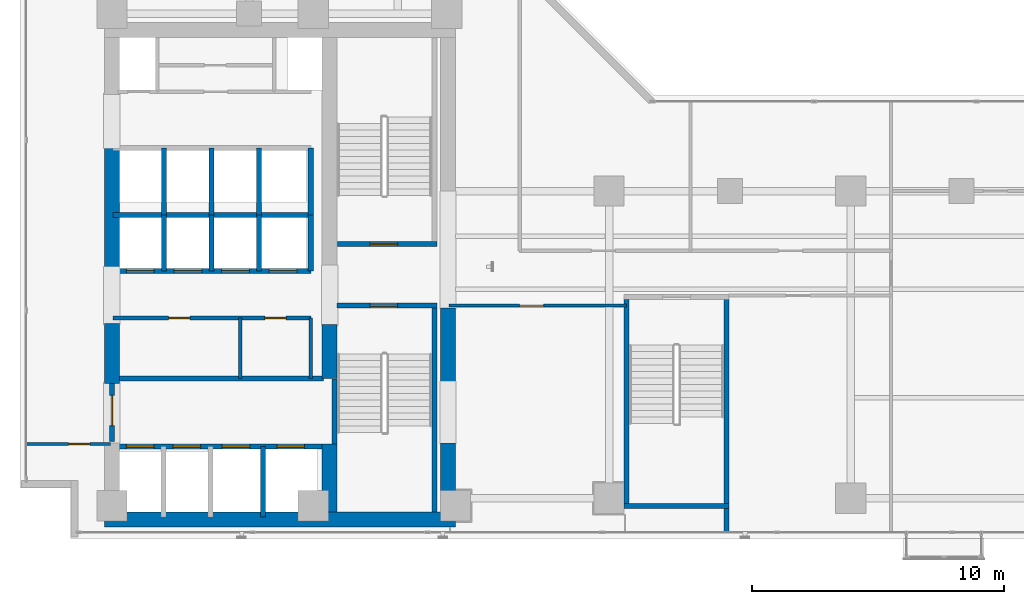
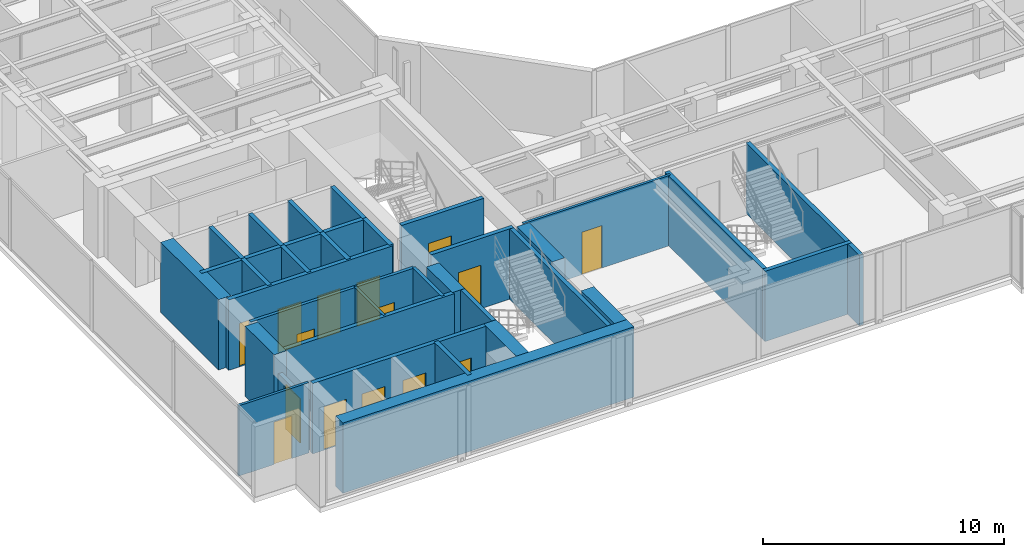
# One storey, part 19 of 26: 33 walls, 15 doors, 15 openings.
"""IFC4 building model written with IfcOpenShell, lengths in metres."""

from ifc_helpers import new_model, si_unit, direction, frame, frame_2d, origin, place, context, subcontext, project, spatial, rectangle, extrude, material, layer, layer_set, type_object, element, fill, save


model = new_model("IFC4")

# Units and contexts
model_context = context("Model", 3, precision=1e-05, world=origin(), true_north=direction((0.0, 1.0)))
body_context = subcontext(model_context, "Body", "Model", "MODEL_VIEW")
ifc_project = project(units=[si_unit("LENGTHUNIT", "METRE"), si_unit("AREAUNIT", "SQUARE_METRE"), si_unit("VOLUMEUNIT", "CUBIC_METRE"), si_unit("PLANEANGLEUNIT", "RADIAN"), si_unit("MASSUNIT", "GRAM", prefix="KILO")], contexts=[model_context])

# Site, building, storey
site_placement = place(None, origin())
site = spatial("IfcSite", under=ifc_project, at=site_placement, CompositionType="ELEMENT")
building_placement = place(site_placement, origin())
building = spatial("IfcBuilding", under=site, at=building_placement, Name="Kolvaren Waterfront Exchange", CompositionType="ELEMENT")
storey_placement = place(building_placement, frame((0.0, 0.0, 180.39990234375)))
storey = spatial("IfcBuildingStorey", under=building, at=storey_placement, Name="L46", CompositionType="ELEMENT", Elevation=180.39990234375)

# Wall, opening, door
ifc_material_1 = material(Name="Precast concrete C40/50", Category="concrete")
ifc_layer_1 = layer(ifc_material_1, 0.199951171875, Name="Precast concrete C40/50")
ifc_layer_set_1 = layer_set([ifc_layer_1], Name="Precast concrete C40/50")
wall_type_1 = type_object("IfcWallType", Name="ARC-FIRE-200", PredefinedType="PARTITIONING", material=ifc_layer_set_1)
wall_1_placement = place(storey_placement, frame((16.39990234375, 12.85009765625, 0.0), z_axis=(0.0, 0.0, 1.0), x_axis=(1.0, 0.0, 0.0)))
wall_1 = element("IfcWall", 1, at=wall_1_placement, inside=storey, type_object=wall_type_1, Name="L46 interior wall PW-L46-ST1-THROAT-S", PredefinedType="PARTITIONING", context=body_context, shape_type="SweptSolid", body=[
    extrude(rectangle(XDim=3.960205078125, YDim=0.199951171875, at=frame_2d((1.97998046875, 0.0))), origin(), (0.0, 0.0, 1.0), 3.56005859375),
])
opening_1_placement = place(wall_1_placement, frame((1.3037109375, 0.0, 0.0)))
opening_1 = element("IfcOpeningElement", 2, at=opening_1_placement, cuts=wall_1, Name="Opening FD2", PredefinedType="OPENING", context=body_context, shape_type="SweptSolid", body=[
    extrude(rectangle(XDim=1.10009765625, YDim=2.199951171875, at=frame_2d((0.550048828125, 1.10009765625))), frame((0.0, 0.10986328125, 0.0), z_axis=(0.0, -1.0, 0.0), x_axis=(1.0, 0.0, 0.0)), (0.0, 0.0, 1.0), 0.219970703125),
])
ifc_material_2 = material(Name="Pressed steel smoke-seal fire door", Category="steel")
door_type_1 = type_object("IfcDoorType", Name="ARC-FD-1100", OperationType="NOTDEFINED", PredefinedType="DOOR", material=ifc_material_2)
door_1_placement = place(opening_1_placement, frame((1.10009765625, 0.0, 0.0), z_axis=(0.0, 0.0, 1.0), x_axis=(-1.0, 0.0, 0.0)))
door_1 = element("IfcDoor", 3, at=door_1_placement, inside=storey, type_object=door_type_1, Name="L46 door DR-L46-ST1-IN (FD2)", OperationType="SINGLE_SWING_RIGHT", OverallHeight=2.199951171875, OverallWidth=1.10009765625, PredefinedType="DOOR", context=body_context, shape_type="SweptSolid", body=[
    extrude(rectangle(XDim=1.10009765625, YDim=2.199951171875, at=frame_2d((0.550048828125, 1.10009765625))), frame((0.0, 0.02490234375, 0.0), z_axis=(0.0, -1.0, 0.0), x_axis=(1.0, 0.0, 0.0)), (0.0, 0.0, 1.0), 0.050048828125),
])
fill(opening_1, door_1)

wall_2_placement = place(storey_placement, frame((16.409912109375, 15.300048828125, 0.0), z_axis=(0.0, 0.0, 1.0), x_axis=(1.0, 0.0, 0.0)))
wall_2 = element("IfcWall", 4, at=wall_2_placement, inside=storey, type_object=wall_type_1, Name="L46 interior wall PW-L46-ST2-THROAT-N", PredefinedType="PARTITIONING", context=body_context, shape_type="SweptSolid", body=[
    extrude(rectangle(XDim=3.9501953125, YDim=0.199951171875, at=frame_2d((1.97509765625, 0.0))), origin(), (0.0, 0.0, 1.0), 3.56005859375),
])
opening_2_placement = place(wall_2_placement, frame((1.293701171875, 0.0, 0.0)))
opening_2 = element("IfcOpeningElement", 5, at=opening_2_placement, cuts=wall_2, Name="Opening FD2", PredefinedType="OPENING", context=body_context, shape_type="SweptSolid", body=[
    extrude(rectangle(XDim=1.10009765625, YDim=2.199951171875, at=frame_2d((0.550048828125, 1.10009765625))), frame((0.0, 0.10986328125, 0.0), z_axis=(0.0, -1.0, 0.0), x_axis=(1.0, 0.0, 0.0)), (0.0, 0.0, 1.0), 0.219970703125),
])
door_2_placement = place(opening_2_placement, origin())
door_2 = element("IfcDoor", 6, at=door_2_placement, inside=storey, type_object=door_type_1, Name="L46 door DR-L46-ST2-IN (FD2)", OperationType="SINGLE_SWING_LEFT", OverallHeight=2.199951171875, OverallWidth=1.10009765625, PredefinedType="DOOR", context=body_context, shape_type="SweptSolid", body=[
    extrude(rectangle(XDim=1.10009765625, YDim=2.199951171875, at=frame_2d((0.550048828125, 1.10009765625))), frame((0.0, 0.02490234375, 0.0), z_axis=(0.0, -1.0, 0.0), x_axis=(1.0, 0.0, 0.0)), (0.0, 0.0, 1.0), 0.050048828125),
])
fill(opening_2, door_2)

# Wall
wall_3_placement = place(storey_placement, frame((7.5, 9.949951171875, 0.0), z_axis=(0.0, 0.0, 1.0), x_axis=(1.0, 0.0, 0.0)))
element("IfcWall", 7, at=wall_3_placement, inside=storey, type_object=wall_type_1, Name="L46 interior wall PW-L46-FF-N", PredefinedType="PARTITIONING", context=body_context, shape_type="SweptSolid", body=[
    extrude(rectangle(XDim=8.35009765625, YDim=0.199951171875, at=frame_2d((4.175048828125, 0.0))), origin(), (0.0, 0.0, 1.0), 3.56005859375),
])

# Wall, opening, door
wall_4_placement = place(storey_placement, frame((7.449951171875, 7.449951171875, 0.0), z_axis=(0.0, 0.0, 1.0), x_axis=(0.0, 1.0, 0.0)))
wall_4 = element("IfcWall", 8, at=wall_4_placement, inside=storey, type_object=wall_type_1, Name="L46 interior wall PW-L46-FF-W-DOOR", PredefinedType="PARTITIONING", context=body_context, shape_type="SweptSolid", body=[
    extrude(rectangle(XDim=2.300048828125, YDim=0.199951171875, at=frame_2d((1.14990234375, 0.0))), origin(), (0.0, 0.0, 1.0), 2.5400390625),
])
opening_3_placement = place(wall_4_placement, frame((0.63330078125, 0.0, 0.0)))
opening_3 = element("IfcOpeningElement", 9, at=opening_3_placement, cuts=wall_4, Name="Opening FD3", PredefinedType="OPENING", context=body_context, shape_type="SweptSolid", body=[
    extrude(rectangle(XDim=1.199951171875, YDim=2.25, at=frame_2d((0.60009765625, 1.125))), frame((0.0, 0.10986328125, 0.0), z_axis=(0.0, -1.0, 0.0), x_axis=(1.0, 0.0, 0.0)), (0.0, 0.0, 1.0), 0.219970703125),
])
ifc_material_3 = material(Name="Pressed steel fire door", Category="steel")
door_type_2 = type_object("IfcDoorType", Name="ARC-FD-1200", OperationType="NOTDEFINED", PredefinedType="DOOR", material=ifc_material_3)
door_3_placement = place(opening_3_placement, frame((1.199951171875, 0.0, 0.0), z_axis=(0.0, 0.0, 1.0), x_axis=(-1.0, 0.0, 0.0)))
door_3 = element("IfcDoor", 10, at=door_3_placement, inside=storey, type_object=door_type_2, Name="L46 door DR-L46-FF-OUT (FD3)", OperationType="SINGLE_SWING_LEFT", OverallHeight=2.25, OverallWidth=1.199951171875, PredefinedType="DOOR", context=body_context, shape_type="SweptSolid", body=[
    extrude(rectangle(XDim=1.199951171875, YDim=2.25, at=frame_2d((0.60009765625, 1.125))), frame((0.0, 0.02490234375, 0.0), z_axis=(0.0, -1.0, 0.0), x_axis=(1.0, 0.0, 0.0)), (0.0, 0.0, 1.0), 0.050048828125),
])
fill(opening_3, door_3)

# Wall
ifc_material_4 = material(Name="Acoustic gypsum steel stud", Category="steel")
ifc_layer_2 = layer(ifc_material_4, 0.125, Name="Acoustic gypsum steel stud")
ifc_layer_set_2 = layer_set([ifc_layer_2], Name="Acoustic gypsum steel stud")
wall_type_2 = type_object("IfcWallType", Name="ARC-PART-125", PredefinedType="PARTITIONING", material=ifc_layer_set_2)
wall_5_placement = place(storey_placement, frame((12.550048828125, 9.949951171875, 0.0), z_axis=(0.0, 0.0, 1.0), x_axis=(0.0, 1.0, 0.0)))
element("IfcWall", 11, at=wall_5_placement, inside=storey, type_object=wall_type_2, Name="L46 interior wall PW-L46-REC-PL-MID", PredefinedType="PARTITIONING", context=body_context, shape_type="SweptSolid", body=[
    extrude(rectangle(XDim=2.41015625, YDim=0.125, at=frame_2d((1.205078125, 0.0))), origin(), (0.0, 0.0, 1.0), 3.56005859375),
])

# Wall, opening, door
wall_6_placement = place(storey_placement, frame((4.0400390625, 7.35009765625, 0.0), z_axis=(0.0, 0.0, 1.0), x_axis=(1.0, 0.0, 0.0)))
wall_6 = element("IfcWall", 12, at=wall_6_placement, inside=storey, type_object=wall_type_2, Name="L46 interior wall PW-L46-SWC-N", PredefinedType="PARTITIONING", context=body_context, shape_type="SweptSolid", body=[
    extrude(rectangle(XDim=3.35986328125, YDim=0.125, at=frame_2d((1.679931640625, 0.0))), origin(), (0.0, 0.0, 1.0), 3.56005859375),
])
opening_4_placement = place(wall_6_placement, frame((1.686767578125, 0.0, 0.0)))
opening_4 = element("IfcOpeningElement", 13, at=opening_4_placement, cuts=wall_6, Name="Opening D01", PredefinedType="OPENING", context=body_context, shape_type="SweptSolid", body=[
    extrude(rectangle(XDim=0.85009765625, YDim=2.14990234375, at=frame_2d((0.425048828125, 1.074951171875))), frame((0.0, 0.072509765625, 0.0), z_axis=(0.0, -1.0, 0.0), x_axis=(1.0, 0.0, 0.0)), (0.0, 0.0, 1.0), 0.14501953125),
])
ifc_material_5 = material(Name="Oak veneer timber leaf", Category="wood")
door_type_3 = type_object("IfcDoorType", Name="ARC-DR-900", OperationType="NOTDEFINED", PredefinedType="DOOR", material=ifc_material_5)
door_4_placement = place(opening_4_placement, origin())
door_4 = element("IfcDoor", 14, at=door_4_placement, inside=storey, type_object=door_type_3, Name="L46 door DR-L46-SWC-D (D01)", OperationType="SINGLE_SWING_RIGHT", OverallHeight=2.14990234375, OverallWidth=0.85009765625, PredefinedType="DOOR", context=body_context, shape_type="SweptSolid", body=[
    extrude(rectangle(XDim=0.85009765625, YDim=2.14990234375, at=frame_2d((0.425048828125, 1.074951171875))), frame((0.0, 0.02490234375, 0.0), z_axis=(0.0, -1.0, 0.0), x_axis=(1.0, 0.0, 0.0)), (0.0, 0.0, 1.0), 0.050048828125),
])
fill(opening_4, door_4)

wall_7_placement = place(storey_placement, frame((20.85009765625, 12.85009765625, 0.0), z_axis=(0.0, 0.0, 1.0), x_axis=(1.0, 0.0, 0.0)))
wall_7 = element("IfcWall", 15, at=wall_7_placement, inside=storey, type_object=wall_type_2, Name="L46 interior wall PW-L46-SWST3-N", PredefinedType="PARTITIONING", context=body_context, shape_type="SweptSolid", body=[
    extrude(rectangle(XDim=7.0498046875, YDim=0.125, at=frame_2d((3.52490234375, 0.0))), origin(), (0.0, 0.0, 1.0), 3.56005859375),
])
opening_5_placement = place(wall_7_placement, frame((2.800048828125, 0.0, 0.0)))
opening_5 = element("IfcOpeningElement", 16, at=opening_5_placement, cuts=wall_7, Name="Opening D02", PredefinedType="OPENING", context=body_context, shape_type="SweptSolid", body=[
    extrude(rectangle(XDim=0.949951171875, YDim=2.14990234375, at=frame_2d((0.47509765625, 1.074951171875))), frame((0.0, 0.072509765625, 0.0), z_axis=(0.0, -1.0, 0.0), x_axis=(1.0, 0.0, 0.0)), (0.0, 0.0, 1.0), 0.14501953125),
])
ifc_material_6 = material(Name="Oak veneer acoustic timber", Category="wood")
door_type_4 = type_object("IfcDoorType", Name="ARC-DR-950", OperationType="NOTDEFINED", PredefinedType="DOOR", material=ifc_material_6)
door_5_placement = place(opening_5_placement, origin())
door_5 = element("IfcDoor", 17, at=door_5_placement, inside=storey, type_object=door_type_4, Name="L46 door DR-L46-SWST3-D (D02)", OperationType="SINGLE_SWING_LEFT", OverallHeight=2.14990234375, OverallWidth=0.949951171875, PredefinedType="DOOR", context=body_context, shape_type="SweptSolid", body=[
    extrude(rectangle(XDim=0.949951171875, YDim=2.14990234375, at=frame_2d((0.47509765625, 1.074951171875))), frame((0.0, 0.02490234375, 0.0), z_axis=(0.0, -1.0, 0.0), x_axis=(1.0, 0.0, 0.0)), (0.0, 0.0, 1.0), 0.050048828125),
])
fill(opening_5, door_5)

# Wall, openings, doors
ifc_material_7 = material(Name="Gypsum fireboard steel stud", Category="steel")
ifc_layer_3 = layer(ifc_material_7, 0.14990234375, Name="Gypsum fireboard steel stud")
ifc_layer_set_3 = layer_set([ifc_layer_3], Name="Gypsum fireboard steel stud")
wall_type_3 = type_object("IfcWallType", Name="ARC-PART-150", PredefinedType="PARTITIONING", material=ifc_layer_set_3)
wall_8_placement = place(storey_placement, frame((7.5, 12.360107421875, 0.0), z_axis=(0.0, 0.0, 1.0), x_axis=(1.0, 0.0, 0.0)))
wall_8 = element("IfcWall", 18, at=wall_8_placement, inside=storey, type_object=wall_type_3, Name="L46 interior wall PW-L46-REC-PL-N", PredefinedType="PARTITIONING", context=body_context, shape_type="SweptSolid", body=[
    extrude(rectangle(XDim=7.85009765625, YDim=0.14990234375, at=frame_2d((3.925048828125, 0.0))), origin(), (0.0, 0.0, 1.0), 3.56005859375),
])
opening_6_placement = place(wall_8_placement, frame((2.202392578125, 0.0, 0.0)))
opening_6 = element("IfcOpeningElement", 19, at=opening_6_placement, cuts=wall_8, Name="Opening D01", PredefinedType="OPENING", context=body_context, shape_type="SweptSolid", body=[
    extrude(rectangle(XDim=0.85009765625, YDim=2.14990234375, at=frame_2d((0.425048828125, 1.074951171875))), frame((0.0, 0.0849609375, 0.0), z_axis=(0.0, -1.0, 0.0), x_axis=(1.0, 0.0, 0.0)), (0.0, 0.0, 1.0), 0.169921875),
])
opening_7_placement = place(wall_8_placement, frame((6.02490234375, 0.0, 0.0)))
opening_7 = element("IfcOpeningElement", 20, at=opening_7_placement, cuts=wall_8, Name="Opening D01", PredefinedType="OPENING", context=body_context, shape_type="SweptSolid", body=[
    extrude(rectangle(XDim=0.85009765625, YDim=2.14990234375, at=frame_2d((0.425048828125, 1.074951171875))), frame((0.0, 0.0849609375, 0.0), z_axis=(0.0, -1.0, 0.0), x_axis=(1.0, 0.0, 0.0)), (0.0, 0.0, 1.0), 0.169921875),
])
door_6_placement = place(opening_6_placement, origin())
door_6 = element("IfcDoor", 21, at=door_6_placement, inside=storey, type_object=door_type_3, Name="L46 door DR-L46-REC-PL-D1 (D01)", OperationType="SINGLE_SWING_RIGHT", OverallHeight=2.14990234375, OverallWidth=0.85009765625, PredefinedType="DOOR", context=body_context, shape_type="SweptSolid", body=[
    extrude(rectangle(XDim=0.85009765625, YDim=2.14990234375, at=frame_2d((0.425048828125, 1.074951171875))), frame((0.0, 0.02490234375, 0.0), z_axis=(0.0, -1.0, 0.0), x_axis=(1.0, 0.0, 0.0)), (0.0, 0.0, 1.0), 0.050048828125),
])
fill(opening_6, door_6)
door_7_placement = place(opening_7_placement, origin())
door_7 = element("IfcDoor", 22, at=door_7_placement, inside=storey, type_object=door_type_3, Name="L46 door DR-L46-REC-PL-D2 (D01)", OperationType="SINGLE_SWING_LEFT", OverallHeight=2.14990234375, OverallWidth=0.85009765625, PredefinedType="DOOR", context=body_context, shape_type="SweptSolid", body=[
    extrude(rectangle(XDim=0.85009765625, YDim=2.14990234375, at=frame_2d((0.425048828125, 1.074951171875))), frame((0.0, 0.02490234375, 0.0), z_axis=(0.0, -1.0, 0.0), x_axis=(1.0, 0.0, 0.0)), (0.0, 0.0, 1.0), 0.050048828125),
])
fill(opening_7, door_7)

# Walls
wall_9_placement = place(storey_placement, frame((15.35009765625, 9.949951171875, 0.0), z_axis=(0.0, 0.0, 1.0), x_axis=(0.0, 1.0, 0.0)))
element("IfcWall", 23, at=wall_9_placement, inside=storey, type_object=wall_type_3, Name="L46 interior wall PW-L46-REC-PL-E", PredefinedType="PARTITIONING", context=body_context, shape_type="SweptSolid", body=[
    extrude(rectangle(XDim=2.41015625, YDim=0.14990234375, at=frame_2d((1.205078125, 0.0))), origin(), (0.0, 0.0, 1.0), 3.56005859375),
])
ifc_material_8 = material(Name="Concrete C40/50", Category="concrete")
ifc_layer_4 = layer(ifc_material_8, 0.199951171875, Name="Concrete C40/50")
ifc_layer_set_4 = layer_set([ifc_layer_4], Name="Concrete C40/50")
wall_type_4 = type_object("IfcWallType", Name="ARC-SHAFT-200", PredefinedType="PARTITIONING", material=ifc_layer_set_4)
wall_10_placement = place(storey_placement, frame((16.300048828125, 7.360107421875, 0.0), z_axis=(0.0, 0.0, 1.0), x_axis=(0.0, 1.0, 0.0)))
element("IfcWall", 24, at=wall_10_placement, inside=storey, type_object=wall_type_4, Name="L46 structural stairwell wall PW-L46-ST1-W", PredefinedType="SHEAR", context=body_context, shape_type="SweptSolid", body=[
    extrude(rectangle(XDim=2.579833984375, YDim=0.199951171875, at=frame_2d((1.2900390625, 0.0))), origin(), (0.0, 0.0, 1.0), 3.56005859375),
])
wall_11_placement = place(storey_placement, frame((20.260009765625, 4.659912109375, 0.0), z_axis=(0.0, 0.0, 1.0), x_axis=(0.0, 1.0, 0.0)))
element("IfcWall", 25, at=wall_11_placement, inside=storey, type_object=wall_type_4, Name="L46 structural stairwell wall PW-L46-ST1-E", PredefinedType="SHEAR", context=body_context, shape_type="SweptSolid", body=[
    extrude(rectangle(XDim=8.090087890625, YDim=0.199951171875, at=frame_2d((4.044921875, 0.0))), origin(), (0.0, 0.0, 1.0), 3.56005859375),
])
wall_12_placement = place(storey_placement, frame((27.89990234375, 5.0, 0.0), z_axis=(0.0, 0.0, 1.0), x_axis=(0.0, 1.0, 0.0)))
element("IfcWall", 26, at=wall_12_placement, inside=storey, type_object=wall_type_4, Name="L46 structural stairwell wall PW-L46-ST3-W", PredefinedType="SHEAR", context=body_context, shape_type="SweptSolid", body=[
    extrude(rectangle(XDim=8.10009765625, YDim=0.199951171875, at=frame_2d((4.050048828125, 0.0))), origin(), (0.0, 0.0, 1.0), 3.56005859375),
])
wall_13_placement = place(storey_placement, frame((31.860107421875, 3.840087890625, 0.0), z_axis=(0.0, 0.0, 1.0), x_axis=(0.0, 1.0, 0.0)))
element("IfcWall", 27, at=wall_13_placement, inside=storey, type_object=wall_type_4, Name="L46 structural stairwell wall PW-L46-ST3-E", PredefinedType="SHEAR", context=body_context, shape_type="SweptSolid", body=[
    extrude(rectangle(XDim=9.409912109375, YDim=0.199951171875, at=frame_2d((4.705078125, 0.0))), origin(), (0.0, 0.0, 1.0), 3.56005859375),
])
wall_14_placement = place(storey_placement, frame((27.800048828125, 4.89990234375, 0.0), z_axis=(0.0, 0.0, 1.0), x_axis=(1.0, 0.0, 0.0)))
element("IfcWall", 28, at=wall_14_placement, inside=storey, type_object=wall_type_4, Name="L46 structural stairwell wall PW-L46-ST3-S", PredefinedType="SHEAR", context=body_context, shape_type="SweptSolid", body=[
    extrude(rectangle(XDim=4.159912109375, YDim=0.199951171875, at=frame_2d((2.080078125, 0.0))), origin(), (0.0, 0.0, 1.0), 3.56005859375),
])

# Wall, openings, doors
wall_15_placement = place(storey_placement, frame((7.5, 7.25, 0.0), z_axis=(0.0, 0.0, 1.0), x_axis=(1.0, 0.0, 0.0)))
wall_15 = element("IfcWall", 29, at=wall_15_placement, inside=storey, type_object=wall_type_4, Name="L46 interior wall PW-L46-FF-S", PredefinedType="PARTITIONING", context=body_context, shape_type="SweptSolid", body=[
    extrude(rectangle(XDim=8.35009765625, YDim=0.199951171875, at=frame_2d((4.175048828125, 0.0))), origin(), (0.0, 0.0, 1.0), 3.56005859375),
])
opening_8_placement = place(wall_15_placement, frame((0.530029296875, 0.0, 0.0)))
opening_8 = element("IfcOpeningElement", 30, at=opening_8_placement, cuts=wall_15, Name="Opening LD1", PredefinedType="OPENING", context=body_context, shape_type="SweptSolid", body=[
    extrude(rectangle(XDim=1.10009765625, YDim=2.199951171875, at=frame_2d((0.550048828125, 1.10009765625))), frame((0.0, 0.10986328125, 0.0), z_axis=(0.0, -1.0, 0.0), x_axis=(1.0, 0.0, 0.0)), (0.0, 0.0, 1.0), 0.219970703125),
])
opening_9_placement = place(wall_15_placement, frame((2.3701171875, 0.0, 0.0)))
opening_9 = element("IfcOpeningElement", 31, at=opening_9_placement, cuts=wall_15, Name="Opening LD1", PredefinedType="OPENING", context=body_context, shape_type="SweptSolid", body=[
    extrude(rectangle(XDim=1.10009765625, YDim=2.199951171875, at=frame_2d((0.550048828125, 1.10009765625))), frame((0.0, 0.10986328125, 0.0), z_axis=(0.0, -1.0, 0.0), x_axis=(1.0, 0.0, 0.0)), (0.0, 0.0, 1.0), 0.219970703125),
])
opening_10_placement = place(wall_15_placement, frame((4.330078125, 0.0, 0.0)))
opening_10 = element("IfcOpeningElement", 32, at=opening_10_placement, cuts=wall_15, Name="Opening LD1", PredefinedType="OPENING", context=body_context, shape_type="SweptSolid", body=[
    extrude(rectangle(XDim=1.10009765625, YDim=2.199951171875, at=frame_2d((0.550048828125, 1.10009765625))), frame((0.0, 0.10986328125, 0.0), z_axis=(0.0, -1.0, 0.0), x_axis=(1.0, 0.0, 0.0)), (0.0, 0.0, 1.0), 0.219970703125),
])
opening_11_placement = place(wall_15_placement, frame((6.5, 0.0, 0.0)))
opening_11 = element("IfcOpeningElement", 33, at=opening_11_placement, cuts=wall_15, Name="Opening LD1", PredefinedType="OPENING", context=body_context, shape_type="SweptSolid", body=[
    extrude(rectangle(XDim=1.10009765625, YDim=2.199951171875, at=frame_2d((0.550048828125, 1.10009765625))), frame((0.0, 0.10986328125, 0.0), z_axis=(0.0, -1.0, 0.0), x_axis=(1.0, 0.0, 0.0)), (0.0, 0.0, 1.0), 0.219970703125),
])
ifc_material_9 = material(Name="Stainless steel sliding landing door", Category="steel")
door_type_5 = type_object("IfcDoorType", Name="ARC-LD-FF", OperationType="SLIDING_TO_LEFT", PredefinedType="DOOR", material=ifc_material_9)
door_8_placement = place(opening_8_placement, origin())
door_8 = element("IfcDoor", 34, at=door_8_placement, inside=storey, type_object=door_type_5, Name="L46 door LD-L46-FFL1 (LD1)", OperationType="SLIDING_TO_LEFT", OverallHeight=2.199951171875, OverallWidth=1.10009765625, PredefinedType="DOOR", context=body_context, shape_type="SweptSolid", body=[
    extrude(rectangle(XDim=1.10009765625, YDim=2.199951171875, at=frame_2d((0.550048828125, 1.10009765625))), frame((0.0, 0.02490234375, 0.0), z_axis=(0.0, -1.0, 0.0), x_axis=(1.0, 0.0, 0.0)), (0.0, 0.0, 1.0), 0.050048828125),
])
fill(opening_8, door_8)
door_9_placement = place(opening_9_placement, origin())
door_9 = element("IfcDoor", 35, at=door_9_placement, inside=storey, type_object=door_type_5, Name="L46 door LD-L46-FFL2 (LD1)", OperationType="SLIDING_TO_LEFT", OverallHeight=2.199951171875, OverallWidth=1.10009765625, PredefinedType="DOOR", context=body_context, shape_type="SweptSolid", body=[
    extrude(rectangle(XDim=1.10009765625, YDim=2.199951171875, at=frame_2d((0.550048828125, 1.10009765625))), frame((0.0, 0.02490234375, 0.0), z_axis=(0.0, -1.0, 0.0), x_axis=(1.0, 0.0, 0.0)), (0.0, 0.0, 1.0), 0.050048828125),
])
fill(opening_9, door_9)
door_10_placement = place(opening_10_placement, origin())
door_10 = element("IfcDoor", 36, at=door_10_placement, inside=storey, type_object=door_type_5, Name="L46 door LD-L46-GL1 (LD1)", OperationType="SLIDING_TO_LEFT", OverallHeight=2.199951171875, OverallWidth=1.10009765625, PredefinedType="DOOR", context=body_context, shape_type="SweptSolid", body=[
    extrude(rectangle(XDim=1.10009765625, YDim=2.199951171875, at=frame_2d((0.550048828125, 1.10009765625))), frame((0.0, 0.02490234375, 0.0), z_axis=(0.0, -1.0, 0.0), x_axis=(1.0, 0.0, 0.0)), (0.0, 0.0, 1.0), 0.050048828125),
])
fill(opening_10, door_10)
door_11_placement = place(opening_11_placement, origin())
door_11 = element("IfcDoor", 37, at=door_11_placement, inside=storey, type_object=door_type_5, Name="L46 door LD-L46-GL2 (LD1)", OperationType="SLIDING_TO_LEFT", OverallHeight=2.199951171875, OverallWidth=1.10009765625, PredefinedType="DOOR", context=body_context, shape_type="SweptSolid", body=[
    extrude(rectangle(XDim=1.10009765625, YDim=2.199951171875, at=frame_2d((0.550048828125, 1.10009765625))), frame((0.0, 0.02490234375, 0.0), z_axis=(0.0, -1.0, 0.0), x_axis=(1.0, 0.0, 0.0)), (0.0, 0.0, 1.0), 0.050048828125),
])
fill(opening_11, door_11)

# Wall
wall_16_placement = place(storey_placement, frame((13.4599609375, 4.449951171875, 0.0), z_axis=(0.0, 0.0, 1.0), x_axis=(0.0, 1.0, 0.0)))
element("IfcWall", 38, at=wall_16_placement, inside=storey, type_object=wall_type_4, Name="L46 interior wall PW-L46-SH1-DIV-134", PredefinedType="PARTITIONING", context=body_context, shape_type="SweptSolid", body=[
    extrude(rectangle(XDim=2.800048828125, YDim=0.199951171875, at=frame_2d((1.39990234375, 0.0))), origin(), (0.0, 0.0, 1.0), 3.56005859375),
])

# Wall, openings, doors
wall_17_placement = place(storey_placement, frame((7.5, 14.219970703125, 0.0), z_axis=(0.0, 0.0, 1.0), x_axis=(1.0, 0.0, 0.0)))
wall_17 = element("IfcWall", 39, at=wall_17_placement, inside=storey, type_object=wall_type_4, Name="L46 interior wall PW-L46-PM-S", PredefinedType="PARTITIONING", context=body_context, shape_type="SweptSolid", body=[
    extrude(rectangle(XDim=7.85009765625, YDim=0.199951171875, at=frame_2d((3.925048828125, 0.0))), origin(), (0.0, 0.0, 1.0), 3.56005859375),
])
opening_12_placement = place(wall_17_placement, frame((0.530029296875, 0.0, 0.0)))
opening_12 = element("IfcOpeningElement", 40, at=opening_12_placement, cuts=wall_17, Name="Opening LD2", PredefinedType="OPENING", context=body_context, shape_type="SweptSolid", body=[
    extrude(rectangle(XDim=1.10009765625, YDim=2.199951171875, at=frame_2d((0.550048828125, 1.10009765625))), frame((0.0, 0.10986328125, 0.0), z_axis=(0.0, -1.0, 0.0), x_axis=(1.0, 0.0, 0.0)), (0.0, 0.0, 1.0), 0.219970703125),
])
opening_13_placement = place(wall_17_placement, frame((2.419921875, 0.0, 0.0)))
opening_13 = element("IfcOpeningElement", 41, at=opening_13_placement, cuts=wall_17, Name="Opening LD2", PredefinedType="OPENING", context=body_context, shape_type="SweptSolid", body=[
    extrude(rectangle(XDim=1.10009765625, YDim=2.199951171875, at=frame_2d((0.550048828125, 1.10009765625))), frame((0.0, 0.10986328125, 0.0), z_axis=(0.0, -1.0, 0.0), x_axis=(1.0, 0.0, 0.0)), (0.0, 0.0, 1.0), 0.219970703125),
])
opening_14_placement = place(wall_17_placement, frame((4.31005859375, 0.0, 0.0)))
opening_14 = element("IfcOpeningElement", 42, at=opening_14_placement, cuts=wall_17, Name="Opening LD2", PredefinedType="OPENING", context=body_context, shape_type="SweptSolid", body=[
    extrude(rectangle(XDim=1.10009765625, YDim=2.199951171875, at=frame_2d((0.550048828125, 1.10009765625))), frame((0.0, 0.10986328125, 0.0), z_axis=(0.0, -1.0, 0.0), x_axis=(1.0, 0.0, 0.0)), (0.0, 0.0, 1.0), 0.219970703125),
])
opening_15_placement = place(wall_17_placement, frame((6.199951171875, 0.0, 0.0)))
opening_15 = element("IfcOpeningElement", 43, at=opening_15_placement, cuts=wall_17, Name="Opening LD2", PredefinedType="OPENING", context=body_context, shape_type="SweptSolid", body=[
    extrude(rectangle(XDim=1.10009765625, YDim=2.199951171875, at=frame_2d((0.550048828125, 1.10009765625))), frame((0.0, 0.10986328125, 0.0), z_axis=(0.0, -1.0, 0.0), x_axis=(1.0, 0.0, 0.0)), (0.0, 0.0, 1.0), 0.219970703125),
])
ifc_material_10 = material(Name="Brushed bronze sliding landing door", Category="aluminium")
door_type_6 = type_object("IfcDoorType", Name="ARC-LD-PAX", OperationType="SLIDING_TO_LEFT", PredefinedType="DOOR", material=ifc_material_10)
door_12_placement = place(opening_12_placement, frame((1.10009765625, 0.0, 0.0), z_axis=(0.0, 0.0, 1.0), x_axis=(-1.0, 0.0, 0.0)))
door_12 = element("IfcDoor", 44, at=door_12_placement, inside=storey, type_object=door_type_6, Name="L46 door LD-L46-PM1 (LD2)", OperationType="SLIDING_TO_LEFT", OverallHeight=2.199951171875, OverallWidth=1.10009765625, PredefinedType="DOOR", context=body_context, shape_type="SweptSolid", body=[
    extrude(rectangle(XDim=1.10009765625, YDim=2.199951171875, at=frame_2d((0.550048828125, 1.10009765625))), frame((0.0, 0.02490234375, 0.0), z_axis=(0.0, -1.0, 0.0), x_axis=(1.0, 0.0, 0.0)), (0.0, 0.0, 1.0), 0.050048828125),
])
fill(opening_12, door_12)
door_13_placement = place(opening_13_placement, frame((1.10009765625, 0.0, 0.0), z_axis=(0.0, 0.0, 1.0), x_axis=(-1.0, 0.0, 0.0)))
door_13 = element("IfcDoor", 45, at=door_13_placement, inside=storey, type_object=door_type_6, Name="L46 door LD-L46-PM2 (LD2)", OperationType="SLIDING_TO_LEFT", OverallHeight=2.199951171875, OverallWidth=1.10009765625, PredefinedType="DOOR", context=body_context, shape_type="SweptSolid", body=[
    extrude(rectangle(XDim=1.10009765625, YDim=2.199951171875, at=frame_2d((0.550048828125, 1.10009765625))), frame((0.0, 0.02490234375, 0.0), z_axis=(0.0, -1.0, 0.0), x_axis=(1.0, 0.0, 0.0)), (0.0, 0.0, 1.0), 0.050048828125),
])
fill(opening_13, door_13)
door_14_placement = place(opening_14_placement, frame((1.10009765625, 0.0, 0.0), z_axis=(0.0, 0.0, 1.0), x_axis=(-1.0, 0.0, 0.0)))
door_14 = element("IfcDoor", 46, at=door_14_placement, inside=storey, type_object=door_type_6, Name="L46 door LD-L46-PM3 (LD2)", OperationType="SLIDING_TO_LEFT", OverallHeight=2.199951171875, OverallWidth=1.10009765625, PredefinedType="DOOR", context=body_context, shape_type="SweptSolid", body=[
    extrude(rectangle(XDim=1.10009765625, YDim=2.199951171875, at=frame_2d((0.550048828125, 1.10009765625))), frame((0.0, 0.02490234375, 0.0), z_axis=(0.0, -1.0, 0.0), x_axis=(1.0, 0.0, 0.0)), (0.0, 0.0, 1.0), 0.050048828125),
])
fill(opening_14, door_14)
door_15_placement = place(opening_15_placement, frame((1.10009765625, 0.0, 0.0), z_axis=(0.0, 0.0, 1.0), x_axis=(-1.0, 0.0, 0.0)))
door_15 = element("IfcDoor", 47, at=door_15_placement, inside=storey, type_object=door_type_6, Name="L46 door LD-L46-PM4 (LD2)", OperationType="SLIDING_TO_LEFT", OverallHeight=2.199951171875, OverallWidth=1.10009765625, PredefinedType="DOOR", context=body_context, shape_type="SweptSolid", body=[
    extrude(rectangle(XDim=1.10009765625, YDim=2.199951171875, at=frame_2d((0.550048828125, 1.10009765625))), frame((0.0, 0.02490234375, 0.0), z_axis=(0.0, -1.0, 0.0), x_axis=(1.0, 0.0, 0.0)), (0.0, 0.0, 1.0), 0.050048828125),
])
fill(opening_15, door_15)

# Walls
wall_18_placement = place(storey_placement, frame((7.5, 16.449951171875, 0.0), z_axis=(0.0, 0.0, 1.0), x_axis=(1.0, 0.0, 0.0)))
element("IfcWall", 48, at=wall_18_placement, inside=storey, type_object=wall_type_4, Name="L46 interior wall PW-L46-PM-N", PredefinedType="PARTITIONING", context=body_context, shape_type="SweptSolid", body=[
    extrude(rectangle(XDim=7.85009765625, YDim=0.199951171875, at=frame_2d((3.925048828125, 0.0))), origin(), (0.0, 0.0, 1.0), 3.56005859375),
])
for number, where, z_axis, x_axis, name in (
    (49, (15.35009765625, 14.219970703125, 0.0), (0.0, 0.0, 1.0), (0.0, 1.0, 0.0), "L46 interior wall PW-L46-PM-E"),
    (50, (9.52001953125, 14.219970703125, 0.0), (0.0, 0.0, 1.0), (0.0, 1.0, 0.0), "L46 interior wall PW-L46-SH3-DIV-95"),
    (51, (11.409912109375, 14.219970703125, 0.0), (0.0, 0.0, 1.0), (0.0, 1.0, 0.0), "L46 interior wall PW-L46-SH3-DIV-114"),
    (52, (13.300048828125, 14.219970703125, 0.0), (0.0, 0.0, 1.0), (0.0, 1.0, 0.0), "L46 interior wall PW-L46-SH3-DIV-133"),
):
    element("IfcWall", number, at=place(storey_placement, frame(where, z_axis=z_axis, x_axis=x_axis)), inside=storey, type_object=wall_type_4, Name=name, PredefinedType="PARTITIONING", context=body_context, shape_type="SweptSolid", body=[
        extrude(rectangle(XDim=2.22998046875, YDim=0.199951171875, at=frame_2d((1.114990234375, 0.0))), origin(), (0.0, 0.0, 1.0), 3.56005859375),
    ])
for number, where, z_axis, x_axis, name in (
    (53, (15.35009765625, 16.449951171875, 0.0), (0.0, 0.0, 1.0), (0.0, 1.0, 0.0), "L46 interior wall PW-L46-PH-E"),
    (54, (9.52001953125, 16.449951171875, 0.0), (0.0, 0.0, 1.0), (0.0, 1.0, 0.0), "L46 interior wall PW-L46-SH4-DIV-95"),
    (55, (11.409912109375, 16.449951171875, 0.0), (0.0, 0.0, 1.0), (0.0, 1.0, 0.0), "L46 interior wall PW-L46-SH4-DIV-114"),
    (56, (13.300048828125, 16.449951171875, 0.0), (0.0, 0.0, 1.0), (0.0, 1.0, 0.0), "L46 interior wall PW-L46-SH4-DIV-133"),
):
    element("IfcWall", number, at=place(storey_placement, frame(where, z_axis=z_axis, x_axis=x_axis)), inside=storey, type_object=wall_type_4, Name=name, PredefinedType="PARTITIONING", context=body_context, shape_type="SweptSolid", body=[
        extrude(rectangle(XDim=2.670166015625, YDim=0.199951171875, at=frame_2d((1.3349609375, 0.0))), origin(), (0.0, 0.0, 1.0), 3.56005859375),
    ])
ifc_material_11 = material(Name="Concrete C60/75", Category="concrete")
ifc_layer_5 = layer(ifc_material_11, 0.60009765625, Name="Concrete C60/75")
ifc_layer_set_5 = layer_set([ifc_layer_5], Name="Concrete C60/75")
wall_type_5 = type_object("IfcWallType", Name="STR-CWALL-600", PredefinedType="SHEAR", material=ifc_layer_set_5)
wall_19_placement = place(storey_placement, frame((7.14990234375, 4.35009765625, 0.0), z_axis=(0.0, 0.0, 1.0), x_axis=(1.0, 0.0, 0.0)))
element("IfcWall", 57, at=wall_19_placement, inside=storey, type_object=wall_type_5, Name="L46 rear-core shear wall S", PredefinedType="SHEAR", context=body_context, shape_type="SweptSolid", body=[
    extrude(rectangle(XDim=13.9501953125, YDim=0.60009765625, at=frame_2d((6.97509765625, 0.0))), origin(), (0.0, 0.0, 1.0), 3.56005859375),
])
wall_20_placement = place(storey_placement, frame((7.449951171875, 9.75, 0.0), z_axis=(0.0, 0.0, 1.0), x_axis=(0.0, 1.0, 0.0)))
element("IfcWall", 58, at=wall_20_placement, inside=storey, type_object=wall_type_5, Name="L46 rear-core shear wall W2A", PredefinedType="SHEAR", context=body_context, shape_type="SweptSolid", body=[
    extrude(rectangle(XDim=2.39990234375, YDim=0.60009765625, at=frame_2d((1.199951171875, 0.0))), origin(), (0.0, 0.0, 1.0), 3.56005859375),
])
wall_21_placement = place(storey_placement, frame((7.449951171875, 14.35009765625, 0.0), z_axis=(0.0, 0.0, 1.0), x_axis=(0.0, 1.0, 0.0)))
element("IfcWall", 59, at=wall_21_placement, inside=storey, type_object=wall_type_5, Name="L46 rear-core shear wall W2B", PredefinedType="SHEAR", context=body_context, shape_type="SweptSolid", body=[
    extrude(rectangle(XDim=4.809814453125, YDim=0.60009765625, at=frame_2d((2.40478515625, 0.0))), origin(), (0.0, 0.0, 1.0), 3.56005859375),
])
wall_22_placement = place(storey_placement, frame((20.800048828125, 4.64990234375, 0.0), z_axis=(0.0, 0.0, 1.0), x_axis=(0.0, 1.0, 0.0)))
element("IfcWall", 60, at=wall_22_placement, inside=storey, type_object=wall_type_5, Name="L46 rear-core shear wall E1", PredefinedType="SHEAR", context=body_context, shape_type="SweptSolid", body=[
    extrude(rectangle(XDim=2.75, YDim=0.60009765625, at=frame_2d((1.375, 0.0))), origin(), (0.0, 0.0, 1.0), 3.56005859375),
])
wall_23_placement = place(storey_placement, frame((20.800048828125, 9.800048828125, 0.0), z_axis=(0.0, 0.0, 1.0), x_axis=(0.0, 1.0, 0.0)))
element("IfcWall", 61, at=wall_23_placement, inside=storey, type_object=wall_type_5, Name="L46 rear-core shear wall E2", PredefinedType="SHEAR", context=body_context, shape_type="SweptSolid", body=[
    extrude(rectangle(XDim=2.949951171875, YDim=0.60009765625, at=frame_2d((1.47509765625, 0.0))), origin(), (0.0, 0.0, 1.0), 3.56005859375),
])
wall_24_placement = place(storey_placement, frame((16.10009765625, 4.64990234375, 0.0), z_axis=(0.0, 0.0, 1.0), x_axis=(0.0, 1.0, 0.0)))
element("IfcWall", 62, at=wall_24_placement, inside=storey, type_object=wall_type_5, Name="L46 rear-core shear wall M1", PredefinedType="SHEAR", context=body_context, shape_type="SweptSolid", body=[
    extrude(rectangle(XDim=2.7001953125, YDim=0.60009765625, at=frame_2d((1.35009765625, 0.0))), origin(), (0.0, 0.0, 1.0), 3.56005859375),
])
wall_25_placement = place(storey_placement, frame((16.10009765625, 9.949951171875, 0.0), z_axis=(0.0, 0.0, 1.0), x_axis=(0.0, 1.0, 0.0)))
element("IfcWall", 63, at=wall_25_placement, inside=storey, type_object=wall_type_5, Name="L46 rear-core shear wall M2", PredefinedType="SHEAR", context=body_context, shape_type="SweptSolid", body=[
    extrude(rectangle(XDim=2.150146484375, YDim=0.60009765625, at=frame_2d((1.0751953125, 0.0))), origin(), (0.0, 0.0, 1.0), 3.56005859375),
])

save(model, "model.ifc")
